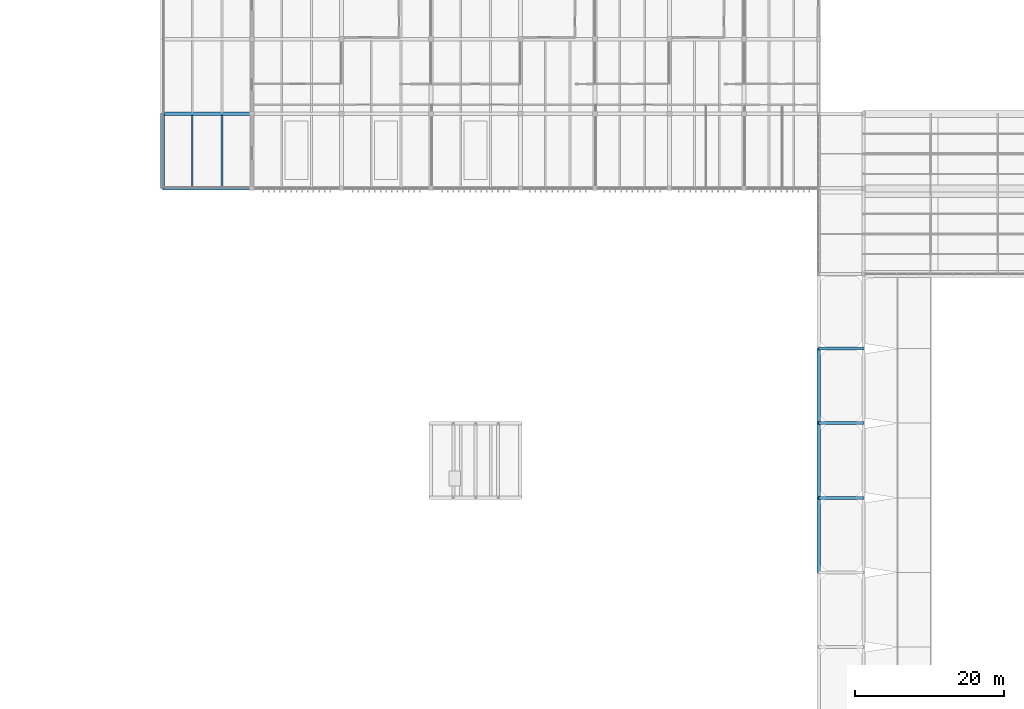
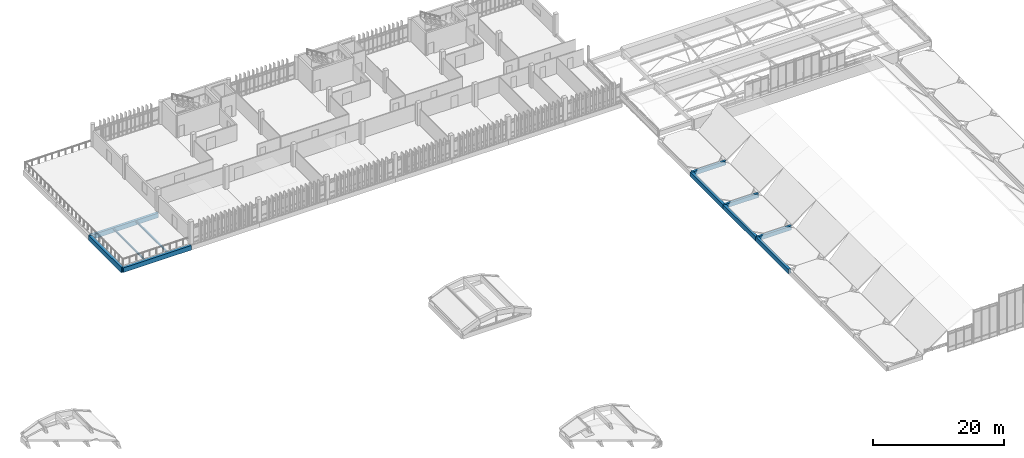
# One storey, part 10 of 82: 11 beams.
"""IFC4 building model written with IfcOpenShell, lengths in metres."""

from ifc_helpers import new_model, si_unit, direction, frame, origin, origin_2d, place, context, subcontext, project, spatial, rectangle, i_section, extrude, material, material_profile, profile_set, type_object, element, save


model = new_model("IFC4")

# Units and contexts
model_context = context("Model", 3, precision=1e-05, world=origin(), true_north=direction((0.0, 1.0)))
body_context = subcontext(model_context, "Body", "Model", "MODEL_VIEW")
ifc_project = project(units=[si_unit("LENGTHUNIT", "METRE"), si_unit("AREAUNIT", "SQUARE_METRE"), si_unit("VOLUMEUNIT", "CUBIC_METRE"), si_unit("PLANEANGLEUNIT", "RADIAN"), si_unit("MASSUNIT", "GRAM", prefix="KILO")], contexts=[model_context])

# Site, building, storey
site_placement = place(None, origin())
site = spatial("IfcSite", under=ifc_project, at=site_placement, CompositionType="ELEMENT")
building_placement = place(site_placement, origin())
building = spatial("IfcBuilding", under=site, at=building_placement, Name="Mersad Railyard Sports Hall", CompositionType="ELEMENT")
storey_placement = place(building_placement, frame((0.0, 0.0, 13.199951171875)))
storey = spatial("IfcBuildingStorey", under=building, at=storey_placement, Name="L03", CompositionType="ELEMENT", Elevation=13.199951171875)

# Beams
ifc_material_1 = material(Name="Concrete C40/50", Category="concrete")
ifc_material_profile_1 = material_profile(ifc_material_1, rectangle(XDim=0.39990234375, YDim=0.75, at=origin_2d()), Name="RC 400x750")
ifc_profile_set_1 = profile_set([ifc_material_profile_1], Name="Concrete C40/50")
beam_type_1 = type_object("IfcBeamType", Name="STR-BM-B01", PredefinedType="BEAM", material=ifc_profile_set_1)
for number, where, z_axis, x_axis, name in (
    (1, (131.0, 43.5, -0.594970703125), (1.0, 0.0, 0.0), (0.0, 1.0, 0.0), "Beam B01-0665"),
    (2, (131.0, 53.5, -0.594970703125), (1.0, 0.0, 0.0), (0.0, 1.0, 0.0), "Beam B01-0666"),
    (3, (131.0, 63.5, -0.594970703125), (1.0, 0.0, 0.0), (0.0, 1.0, 0.0), "Beam B01-0667"),
):
    element("IfcBeam", number, at=place(storey_placement, frame(where, z_axis=z_axis, x_axis=x_axis)), inside=storey, type_object=beam_type_1, Name=name, PredefinedType="BEAM", context=body_context, shape_type="SweptSolid", body=[
        extrude(rectangle(XDim=0.39990234375, YDim=0.75, at=origin_2d()), origin(), (0.0, 0.0, 1.0), 6.0),
    ])
ifc_material_profile_2 = material_profile(ifc_material_1, rectangle(XDim=0.449951171875, YDim=0.85009765625, at=origin_2d()), Name="RC 450x850")
ifc_profile_set_2 = profile_set([ifc_material_profile_2], Name="Concrete C40/50")
beam_type_2 = type_object("IfcBeamType", Name="STR-BM-B02", PredefinedType="BEAM", material=ifc_profile_set_2)
for number, where, z_axis, x_axis, name in (
    (4, (131.0, 33.5, -0.64501953125), (0.0, 1.0, 0.0), (-1.0, 0.0, 0.0), "Beam B02-0672"),
    (5, (131.0, 43.5, -0.64501953125), (0.0, 1.0, 0.0), (-1.0, 0.0, 0.0), "Beam B02-0673"),
    (6, (131.0, 53.5, -0.64501953125), (0.0, 1.0, 0.0), (-1.0, 0.0, 0.0), "Beam B02-0674"),
):
    element("IfcBeam", number, at=place(storey_placement, frame(where, z_axis=z_axis, x_axis=x_axis)), inside=storey, type_object=beam_type_2, Name=name, PredefinedType="BEAM", context=body_context, shape_type="SweptSolid", body=[
        extrude(rectangle(XDim=0.449951171875, YDim=0.85009765625, at=origin_2d()), origin(), (0.0, 0.0, 1.0), 10.0),
    ])
for number, where, z_axis, x_axis, name in (
    (7, (43.0, 85.0, -0.744873046875), (1.0, 0.0, 0.0), (0.0, 1.0, 0.0), "Beam B02-1212"),
    (8, (43.0, 95.0, -0.744873046875), (1.0, 0.0, 0.0), (0.0, 1.0, 0.0), "Beam B02-1220"),
):
    element("IfcBeam", number, at=place(storey_placement, frame(where, z_axis=z_axis, x_axis=x_axis)), inside=storey, type_object=beam_type_2, Name=name, PredefinedType="BEAM", context=body_context, shape_type="SweptSolid", body=[
        extrude(rectangle(XDim=0.449951171875, YDim=0.85009765625, at=origin_2d()), origin(), (0.0, 0.0, 1.0), 12.0),
    ])
ifc_material_2 = material(Name="Concrete C50/60", Category="concrete")
ifc_material_profile_3 = material_profile(ifc_material_2, rectangle(XDim=0.5, YDim=0.949951171875, at=origin_2d()), Name="RC 500x950")
ifc_profile_set_3 = profile_set([ifc_material_profile_3], Name="Concrete C50/60")
beam_type_3 = type_object("IfcBeamType", Name="STR-BM-B03", PredefinedType="BEAM", material=ifc_profile_set_3)
beam_placement = place(storey_placement, frame((43.0, 85.0, -0.794921875), z_axis=(0.0, 1.0, 0.0), x_axis=(-1.0, 0.0, 0.0)))
element("IfcBeam", 9, at=beam_placement, inside=storey, type_object=beam_type_3, Name="Beam B03-1244", PredefinedType="BEAM", context=body_context, shape_type="SweptSolid", body=[
    extrude(rectangle(XDim=0.5, YDim=0.949951171875, at=origin_2d()), origin(), (0.0, 0.0, 1.0), 10.0),
])
ifc_material_3 = material(Name="Steel S355", Category="steel")
ifc_material_profile_4 = material_profile(ifc_material_3, i_section(OverallWidth=0.239990234375, OverallDepth=0.239990234375, WebThickness=0.010009765625, FlangeThickness=0.01708984375, at=origin_2d()), Name="HEB 240")
ifc_profile_set_4 = profile_set([ifc_material_profile_4], Name="Steel S355")
beam_type_4 = type_object("IfcBeamType", Name="STR-BM-SB04", PredefinedType="BEAM", material=ifc_profile_set_4)
for number, where, z_axis, x_axis, name in (
    (10, (47.0, 85.179931640625, -0.43994140625), (0.0, 1.0, 0.0), (-1.0, 0.0, 0.0), "Beam SB04-1271"),
    (11, (51.0, 85.179931640625, -0.43994140625), (0.0, 1.0, 0.0), (-1.0, 0.0, 0.0), "Beam SB04-1272"),
):
    element("IfcBeam", number, at=place(storey_placement, frame(where, z_axis=z_axis, x_axis=x_axis)), inside=storey, type_object=beam_type_4, Name=name, PredefinedType="BEAM", context=body_context, shape_type="SweptSolid", body=[
        extrude(i_section(OverallWidth=0.239990234375, OverallDepth=0.239990234375, WebThickness=0.010009765625, FlangeThickness=0.01708984375, at=origin_2d()), origin(), (0.0, 0.0, 1.0), 9.64013671875),
    ])

save(model, "model.ifc")
